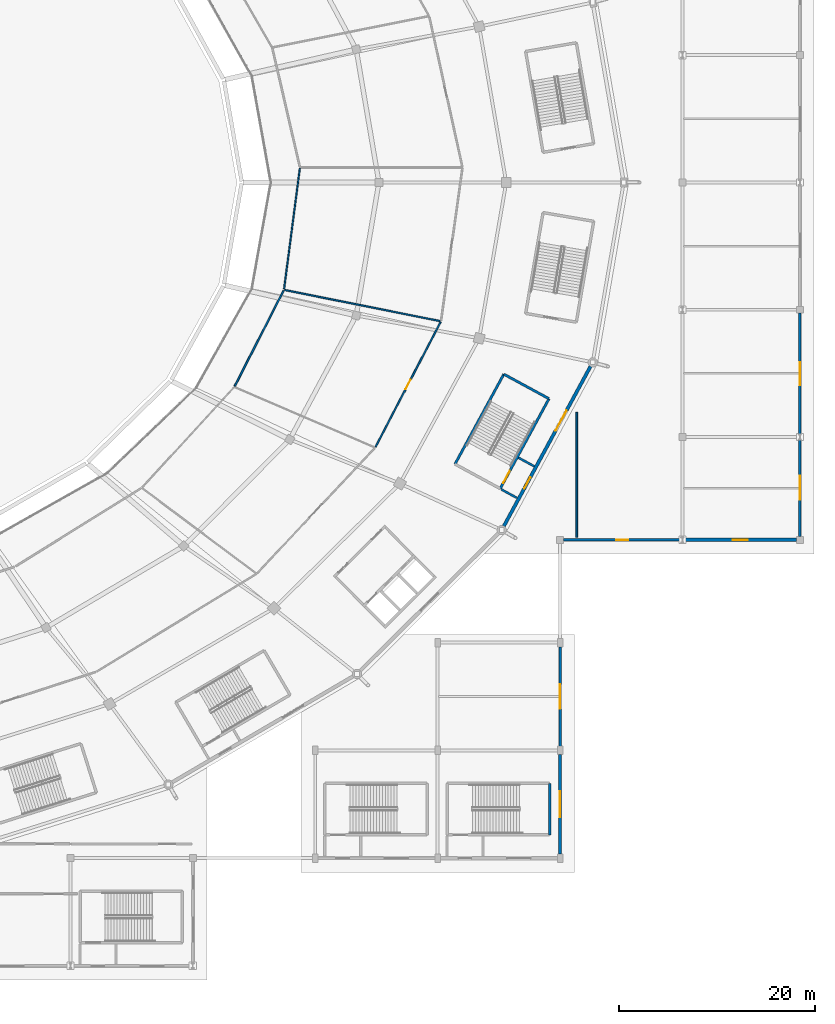
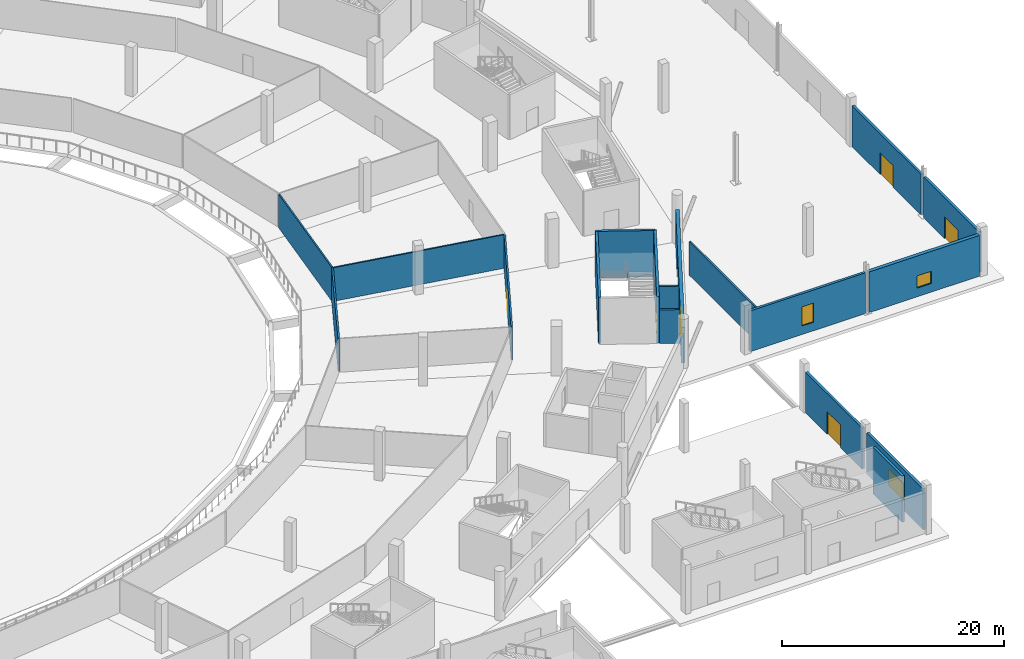
# One storey, part 45 of 82: 18 walls, 7 doors, 3 windows, 10 openings.
"""IFC4 building model written with IfcOpenShell, lengths in metres."""

from ifc_helpers import new_model, si_unit, direction, frame, frame_2d, origin, place, context, subcontext, project, spatial, rectangle, extrude, material, layer, layer_set, type_object, element, fill, save


model = new_model("IFC4")

# Units and contexts
model_context = context("Model", 3, precision=1e-05, world=origin(), true_north=direction((0.0, 1.0)))
body_context = subcontext(model_context, "Body", "Model", "MODEL_VIEW")
ifc_project = project(units=[si_unit("LENGTHUNIT", "METRE"), si_unit("AREAUNIT", "SQUARE_METRE"), si_unit("VOLUMEUNIT", "CUBIC_METRE"), si_unit("PLANEANGLEUNIT", "RADIAN"), si_unit("MASSUNIT", "GRAM", prefix="KILO")], contexts=[model_context])

# Site, building, storey
site_placement = place(None, origin())
site = spatial("IfcSite", under=ifc_project, at=site_placement, CompositionType="ELEMENT")
building_placement = place(site_placement, origin())
building = spatial("IfcBuilding", under=site, at=building_placement, Name="Zlatoyarsky Gate Stadium", CompositionType="ELEMENT")
storey_placement = place(building_placement, origin())
storey = spatial("IfcBuildingStorey", under=building, at=storey_placement, Name="L00", CompositionType="ELEMENT", Elevation=0.0)

# Walls
ifc_material_1 = material(Name="Double-stud acoustic gypsum partition", Category="gypsum")
ifc_layer_1 = layer(ifc_material_1, 0.169921875)
ifc_layer_set_1 = layer_set([ifc_layer_1], Name="Double-stud acoustic gypsum partition")
wall_type_1 = type_object("IfcWallType", Name="ACOUSTIC BROADCAST STUDIO WALL 170", PredefinedType="PARTITIONING", material=ifc_layer_set_1)
wall_1_placement = place(storey_placement, frame((164.273193359375, 59.19580078125, 0.0), z_axis=(0.0, 0.0, 1.0), x_axis=(0.455186001509, 0.890396374673, 0.0)))
element("IfcWall", 1, at=wall_1_placement, inside=storey, type_object=wall_type_1, Name="L00 interior partition PRT-L00-IRN-22", PredefinedType="PARTITIONING", context=body_context, shape_type="SweptSolid", body=[
    extrude(rectangle(XDim=10.963134765625, YDim=0.169921875, at=frame_2d((5.4814453125, 0.0))), origin(), (0.0, 0.0, 1.0), 3.68994140625),
])
ifc_material_2 = material(Name="Moisture-resistant masonry partition", Category="masonry")
ifc_layer_2 = layer(ifc_material_2, 0.139892578125)
ifc_layer_set_2 = layer_set([ifc_layer_2], Name="Moisture-resistant masonry partition")
wall_type_2 = type_object("IfcWallType", Name="ATHLETE CHANGING BLOCK PARTITION 140", PredefinedType="PARTITIONING", material=ifc_layer_set_2)
wall_2_placement = place(storey_placement, frame((169.313232421875, 69.1171875, 0.0), z_axis=(0.0, 0.0, 1.0), x_axis=(0.129643122205, 0.991560719706, 0.0)))
element("IfcWall", 2, at=wall_2_placement, inside=storey, type_object=wall_type_2, Name="L00 interior partition PRT-L00-IRN-23", PredefinedType="PARTITIONING", context=body_context, shape_type="SweptSolid", body=[
    extrude(rectangle(XDim=12.430908203125, YDim=0.139892578125, at=frame_2d((6.21533203125, 0.0))), origin(), (0.0, 0.0, 1.0), 3.68994140625),
])
ifc_material_3 = material(Name="Metal-stud gypsum partition", Category="gypsum")
ifc_layer_3 = layer(ifc_material_3, 0.14990234375)
ifc_layer_set_3 = layer_set([ifc_layer_3], Name="Metal-stud gypsum partition")
wall_type_3 = type_object("IfcWallType", Name="CONCOURSE CORRIDOR PARTITION 150", PredefinedType="PARTITIONING", material=ifc_layer_set_3)
wall_3_placement = place(storey_placement, frame((169.385498046875, 69.01611328125, 0.0), z_axis=(0.0, 0.0, 1.0), x_axis=(0.980552814496, -0.196255389692, 0.0)))
element("IfcWall", 3, at=wall_3_placement, inside=storey, type_object=wall_type_3, Name="L00 interior partition PRT-L00-IRD-23", PredefinedType="PARTITIONING", context=body_context, shape_type="SweptSolid", body=[
    extrude(rectangle(XDim=16.18310546875, YDim=0.14990234375, at=frame_2d((8.091552734375, 0.0))), origin(), (0.0, 0.0, 1.0), 3.68994140625),
])

# Wall, opening, door
ifc_material_4 = material(Name="Concrete C40/50", Category="concrete")
ifc_layer_4 = layer(ifc_material_4, 0.25)
ifc_layer_set_4 = layer_set([ifc_layer_4], Name="Concrete C40/50")
wall_type_4 = type_object("IfcWallType", Name="CONCRETE STAIR CORE SHEAR WALL 250", PredefinedType="SHEAR", material=ifc_layer_set_4)
wall_4_placement = place(storey_placement, frame((191.384765625, 48.731201171875, 0.0), z_axis=(0.0, 0.0, 1.0), x_axis=(0.476876856974, 0.878970115125, 0.0)))
wall_4 = element("IfcWall", 4, at=wall_4_placement, inside=storey, type_object=wall_type_4, Name="ST-12 L00 stair core left shear wall", PredefinedType="SHEAR", context=body_context, shape_type="SweptSolid", body=[
    extrude(rectangle(XDim=10.4501953125, YDim=0.25, at=frame_2d((5.22509765625, 0.0))), origin(), (0.0, 0.0, 1.0), 5.10009765625),
])
opening_1_placement = place(wall_4_placement, frame((0.64990234375, 0.0, 0.0)))
opening_1 = element("IfcOpeningElement", 5, at=opening_1_placement, cuts=wall_4, Name="Opening SD-ST-12-L00", PredefinedType="OPENING", context=body_context, shape_type="SweptSolid", body=[
    extrude(rectangle(XDim=1.39990234375, YDim=2.199951171875, at=frame_2d((0.699951171875, 1.10009765625))), frame((0.0, 0.135009765625, 0.0), z_axis=(0.0, -1.0, 0.0), x_axis=(1.0, 0.0, 0.0)), (0.0, 0.0, 1.0), 0.27001953125),
])
ifc_material_5 = material(Name="Powder-coated steel fire door", Category="steel")
door_type_1 = type_object("IfcDoorType", Name="STAIR CORE FIRE EXIT DOOR 1400X2200", OperationType="NOTDEFINED", PredefinedType="DOOR", material=ifc_material_5)
door_1_placement = place(opening_1_placement, frame((1.39990234375, 0.0, 0.0), z_axis=(0.0, 0.0, 1.0), x_axis=(-1.0, 0.0, 0.0)))
door_1 = element("IfcDoor", 6, at=door_1_placement, inside=storey, type_object=door_type_1, Name="ST-12 L00 protected exit discharge fire door", OperationType="SINGLE_SWING_LEFT", OverallHeight=2.199951171875, OverallWidth=1.39990234375, PredefinedType="DOOR", context=body_context, shape_type="SweptSolid", body=[
    extrude(rectangle(XDim=1.39990234375, YDim=2.199951171875, at=frame_2d((0.699951171875, 1.10009765625))), frame((0.0, 0.02490234375, 0.0), z_axis=(0.0, -1.0, 0.0), x_axis=(1.0, 0.0, 0.0)), (0.0, 0.0, 1.0), 0.050048828125),
])
fill(opening_1, door_1)

# Walls
wall_5_placement = place(storey_placement, frame((196.3681640625, 57.91650390625, 0.0), z_axis=(0.0, 0.0, 1.0), x_axis=(-0.878961487093, 0.47689275965, 0.0)))
element("IfcWall", 7, at=wall_5_placement, inside=storey, type_object=wall_type_4, Name="ST-12 L00 stair core far shear wall", PredefinedType="SHEAR", context=body_context, shape_type="SweptSolid", body=[
    extrude(rectangle(XDim=5.25, YDim=0.25, at=frame_2d((2.625, 0.0))), origin(), (0.0, 0.0, 1.0), 5.10009765625),
])
wall_6_placement = place(storey_placement, frame((191.753662109375, 60.420166015625, 0.0), z_axis=(0.0, 0.0, 1.0), x_axis=(-0.476886649814, -0.878964802042, 0.0)))
element("IfcWall", 8, at=wall_6_placement, inside=storey, type_object=wall_type_4, Name="ST-12 L00 stair core right shear wall", PredefinedType="SHEAR", context=body_context, shape_type="SweptSolid", body=[
    extrude(rectangle(XDim=10.449951171875, YDim=0.25, at=frame_2d((5.22509765625, 0.0))), origin(), (0.0, 0.0, 1.0), 5.10009765625),
])
wall_7_placement = place(storey_placement, frame((196.425048828125, 13.375, 0.0), z_axis=(0.0, 0.0, 1.0), x_axis=(0.0, 1.0, 0.0)))
element("IfcWall", 9, at=wall_7_placement, inside=storey, type_object=wall_type_4, Name="ST-24 L00 stair core far shear wall", PredefinedType="SHEAR", context=body_context, shape_type="SweptSolid", body=[
    extrude(rectangle(XDim=5.25, YDim=0.25, at=frame_2d((2.625, 0.0))), origin(), (0.0, 0.0, 1.0), 5.10009765625),
])
ifc_material_6 = material(Name="Autoclaved aerated concrete masonry EI 120", Category="masonry")
ifc_layer_5 = layer(ifc_material_6, 0.219970703125)
ifc_layer_set_5 = layer_set([ifc_layer_5], Name="Autoclaved aerated concrete masonry EI 120")
wall_type_5 = type_object("IfcWallType", Name="FIREFIGHTING LOBBY RATED WALL 220", PredefinedType="PARTITIONING", material=ifc_layer_set_5)
wall_8_placement = place(storey_placement, frame((191.496337890625, 48.65380859375, 0.0), z_axis=(0.0, 0.0, 1.0), x_axis=(0.878928142612, -0.476954211769, 0.0)))
element("IfcWall", 10, at=wall_8_placement, inside=storey, type_object=wall_type_5, Name="ST-12 L00 protected exit lobby EI 120 wall 1", PredefinedType="PARTITIONING", context=body_context, shape_type="SweptSolid", body=[
    extrude(rectangle(XDim=1.839599609375, YDim=0.219970703125, at=frame_2d((0.919921875, 0.0))), origin(), (0.0, 0.0, 1.0), 3.68994140625),
])
wall_9_placement = place(storey_placement, frame((193.251220703125, 51.888427734375, 0.0), z_axis=(0.0, 0.0, 1.0), x_axis=(0.878958326558, -0.47689858479, 0.0)))
element("IfcWall", 11, at=wall_9_placement, inside=storey, type_object=wall_type_5, Name="ST-12 L00 protected exit lobby EI 120 wall 2", PredefinedType="PARTITIONING", context=body_context, shape_type="SweptSolid", body=[
    extrude(rectangle(XDim=1.83984375, YDim=0.219970703125, at=frame_2d((0.919921875, 0.0))), origin(), (0.0, 0.0, 1.0), 3.68994140625),
])

# Wall, opening, door
ifc_material_7 = material(Name="Acoustic metal-stud gypsum partition", Category="gypsum")
ifc_layer_6 = layer(ifc_material_7, 0.159912109375)
ifc_layer_set_6 = layer_set([ifc_layer_6], Name="Acoustic metal-stud gypsum partition")
wall_type_6 = type_object("IfcWallType", Name="HOSPITALITY SUITE PARTITION 160", PredefinedType="PARTITIONING", material=ifc_layer_set_6)
wall_10_placement = place(storey_placement, frame((178.6533203125, 52.99365234375, 0.0), z_axis=(0.0, 0.0, 1.0), x_axis=(0.46202288494, 0.886868002463, 0.0)))
wall_10 = element("IfcWall", 12, at=wall_10_placement, inside=storey, type_object=wall_type_6, Name="L00 interior partition PRT-L00-ICC-22", PredefinedType="PARTITIONING", context=body_context, shape_type="SweptSolid", body=[
    extrude(rectangle(XDim=14.38134765625, YDim=0.159912109375, at=frame_2d((7.190673828125, 0.0))), origin(), (0.0, 0.0, 1.0), 3.68994140625),
])
opening_2_placement = place(wall_10_placement, frame((6.650634765625, 0.0, 0.0)))
opening_2 = element("IfcOpeningElement", 13, at=opening_2_placement, cuts=wall_10, Name="Opening D-L00-181", PredefinedType="OPENING", context=body_context, shape_type="SweptSolid", body=[
    extrude(rectangle(XDim=1.080078125, YDim=2.3798828125, at=frame_2d((0.5400390625, 1.18994140625))), frame((0.0, 0.08984375, 0.0), z_axis=(0.0, -1.0, 0.0), x_axis=(1.0, 0.0, 0.0)), (0.0, 0.0, 1.0), 0.179931640625),
])
door_type_2 = type_object("IfcDoorType", Name="ACOUSTIC INTERIOR DOOR 1080X2380", OperationType="NOTDEFINED", PredefinedType="DOOR", material=ifc_material_5)
door_2_placement = place(opening_2_placement, origin())
door_2 = element("IfcDoor", 14, at=door_2_placement, inside=storey, type_object=door_type_2, Name="L00 room door D-L00-181", OperationType="SINGLE_SWING_RIGHT", OverallHeight=2.3798828125, OverallWidth=1.080078125, PredefinedType="DOOR", context=body_context, shape_type="SweptSolid", body=[
    extrude(rectangle(XDim=1.080078125, YDim=2.3798828125, at=frame_2d((0.5400390625, 1.18994140625))), frame((0.0, 0.02490234375, 0.0), z_axis=(0.0, -1.0, 0.0), x_axis=(1.0, 0.0, 0.0)), (0.0, 0.0, 1.0), 0.050048828125),
])
fill(opening_2, door_2)

# Wall, opening, window
ifc_material_8 = material(Name="Precast concrete C40/50 architectural panel", Category="concrete")
ifc_layer_7 = layer(ifc_material_8, 0.280029296875)
ifc_layer_set_7 = layer_set([ifc_layer_7], Name="Precast concrete C40/50 architectural panel")
wall_type_7 = type_object("IfcWallType", Name="INSULATED WING SPANDREL WALL 280", PredefinedType="STANDARD", material=ifc_layer_set_7)
wall_11_placement = place(storey_placement, frame((197.5, 11.422119140625, 0.0), z_axis=(0.0, 0.0, 1.0), x_axis=(0.0, 1.0, 0.0)))
wall_11 = element("IfcWall", 15, at=wall_11_placement, inside=storey, type_object=wall_type_7, Name="V6_SE L00 E exterior wall", PredefinedType="STANDARD", context=body_context, shape_type="SweptSolid", body=[
    extrude(rectangle(XDim=10.15576171875, YDim=0.280029296875, at=frame_2d((5.077880859375, 0.0))), origin(), (0.0, 0.0, 1.0), 4.47998046875),
])
opening_3_placement = place(wall_11_placement, frame((3.72802734375, 0.0, 0.949951171875)))
opening_3 = element("IfcOpeningElement", 16, at=opening_3_placement, cuts=wall_11, Name="Opening WN-23", PredefinedType="OPENING", context=body_context, shape_type="SweptSolid", body=[
    extrude(rectangle(XDim=2.699951171875, YDim=1.85009765625, at=frame_2d((1.35009765625, 0.925048828125))), frame((0.0, 0.14990234375, 0.0), z_axis=(0.0, -1.0, 0.0), x_axis=(1.0, 0.0, 0.0)), (0.0, 0.0, 1.0), 0.300048828125),
])
ifc_material_9 = material(Name="Triple-glazed thermally broken aluminium window", Category="aluminium")
window_type_1 = type_object("IfcWindowType", Name="TRIPLE GLAZED ALUMINIUM WINDOW 2700X1850", PartitioningType="SINGLE_PANEL", PredefinedType="WINDOW", material=ifc_material_9)
window_1_placement = place(opening_3_placement, origin())
window_1 = element("IfcWindow", 17, at=window_1_placement, inside=storey, type_object=window_type_1, Name="Exterior window WIN-L00-079", OverallHeight=1.85009765625, OverallWidth=2.699951171875, PartitioningType="SINGLE_PANEL", PredefinedType="WINDOW", context=body_context, shape_type="SweptSolid", body=[
    extrude(rectangle(XDim=2.699951171875, YDim=1.85009765625, at=frame_2d((1.35009765625, 0.925048828125))), frame((0.0, 0.030029296875, 0.0), z_axis=(0.0, -1.0, 0.0), x_axis=(1.0, 0.0, 0.0)), (0.0, 0.0, 1.0), 0.06005859375),
])
fill(opening_3, window_1)

ifc_material_10 = material(Name="Limestone-faced insulated masonry wall", Category="masonry")
ifc_layer_8 = layer(ifc_material_10, 0.360107421875)
ifc_layer_set_8 = layer_set([ifc_layer_8], Name="Limestone-faced insulated masonry wall")
wall_type_8 = type_object("IfcWallType", Name="LIMESTONE CLAD CAVITY WALL 360", PredefinedType="STANDARD", material=ifc_layer_set_8)
wall_12_placement = place(storey_placement, frame((210.14697265625, 43.5, 0.0), z_axis=(0.0, 0.0, 1.0), x_axis=(1.0, 0.0, 0.0)))
wall_12 = element("IfcWall", 18, at=wall_12_placement, inside=storey, type_object=wall_type_8, Name="V5_EAST L00 S exterior wall", PredefinedType="STANDARD", context=body_context, shape_type="SweptSolid", body=[
    extrude(rectangle(XDim=11.506103515625, YDim=0.360107421875, at=frame_2d((5.7529296875, 0.0))), origin(), (0.0, 0.0, 1.0), 4.47998046875),
])
opening_4_placement = place(wall_12_placement, frame((5.0029296875, 0.0, 0.949951171875)))
opening_4 = element("IfcOpeningElement", 19, at=opening_4_placement, cuts=wall_12, Name="Opening WN-05", PredefinedType="OPENING", context=body_context, shape_type="SweptSolid", body=[
    extrude(rectangle(XDim=1.5, YDim=1.35009765625, at=frame_2d((0.75, 0.675048828125))), frame((0.0, 0.18994140625, 0.0), z_axis=(0.0, -1.0, 0.0), x_axis=(1.0, 0.0, 0.0)), (0.0, 0.0, 1.0), 0.380126953125),
])
window_type_2 = type_object("IfcWindowType", Name="TRIPLE GLAZED ALUMINIUM WINDOW 1500X1350", PartitioningType="SINGLE_PANEL", PredefinedType="WINDOW", material=ifc_material_9)
window_2_placement = place(opening_4_placement, origin())
window_2 = element("IfcWindow", 20, at=window_2_placement, inside=storey, type_object=window_type_2, Name="Exterior window WIN-L00-061", OverallHeight=1.35009765625, OverallWidth=1.5, PartitioningType="SINGLE_PANEL", PredefinedType="WINDOW", context=body_context, shape_type="SweptSolid", body=[
    extrude(rectangle(XDim=1.5, YDim=1.35009765625, at=frame_2d((0.75, 0.675048828125))), frame((0.0, 0.030029296875, 0.0), z_axis=(0.0, -1.0, 0.0), x_axis=(1.0, 0.0, 0.0)), (0.0, 0.0, 1.0), 0.06005859375),
])
fill(opening_4, window_2)

# Wall, openings, doors
ifc_layer_9 = layer(ifc_material_10, 0.340087890625)
ifc_layer_set_9 = layer_set([ifc_layer_9], Name="Limestone-faced insulated masonry wall")
wall_type_9 = type_object("IfcWallType", Name="LIMESTONE GATE PLINTH WALL 340", PredefinedType="STANDARD", material=ifc_layer_set_9)
wall_13_placement = place(storey_placement, frame((191.759765625, 44.904296875, 0.0), z_axis=(0.0, 0.0, 1.0), x_axis=(0.47689360532, 0.878961028263, 0.0)))
wall_13 = element("IfcWall", 21, at=wall_13_placement, inside=storey, type_object=wall_type_9, Name="L00 bowl exterior plinth wall sector 22", PredefinedType="STANDARD", context=body_context, shape_type="SweptSolid", body=[
    extrude(rectangle(XDim=18.56201171875, YDim=0.340087890625, at=frame_2d((9.281005859375, 0.0))), origin(), (0.0, 0.0, 1.0), 3.85009765625),
])
opening_5_placement = place(wall_13_placement, frame((4.360107421875, 0.0, 0.0)))
opening_5 = element("IfcOpeningElement", 22, at=opening_5_placement, cuts=wall_13, Name="Opening ED-ST12", PredefinedType="OPENING", context=body_context, shape_type="SweptSolid", body=[
    extrude(rectangle(XDim=1.300048828125, YDim=2.199951171875, at=frame_2d((0.64990234375, 1.10009765625))), frame((0.0, 0.179931640625, 0.0), z_axis=(0.0, -1.0, 0.0), x_axis=(1.0, 0.0, 0.0)), (0.0, 0.0, 1.0), 0.360107421875),
])
opening_6_placement = place(wall_13_placement, frame((11.080810546875, 0.0, 0.0)))
opening_6 = element("IfcOpeningElement", 23, at=opening_6_placement, cuts=wall_13, Name="Opening G12", PredefinedType="OPENING", context=body_context, shape_type="SweptSolid", body=[
    extrude(rectangle(XDim=2.35009765625, YDim=2.39990234375, at=frame_2d((1.175048828125, 1.199951171875))), frame((0.0, 0.179931640625, 0.0), z_axis=(0.0, -1.0, 0.0), x_axis=(1.0, 0.0, 0.0)), (0.0, 0.0, 1.0), 0.360107421875),
])
ifc_material_11 = material(Name="Thermally broken powder-coated steel and laminated safety glass", Category="steel")
door_type_3 = type_object("IfcDoorType", Name="PEDESTRIAN FINAL EXIT DOUBLE DOOR 2350X2400", OperationType="DOUBLE_DOOR_SINGLE_SWING", PredefinedType="DOOR", material=ifc_material_11)
door_3_placement = place(opening_6_placement, frame((2.35009765625, 0.0, 0.0), z_axis=(0.0, 0.0, 1.0), x_axis=(-1.0, 0.0, 0.0)))
door_3 = element("IfcDoor", 24, at=door_3_placement, inside=storey, type_object=door_type_3, Name="Pedestrian exit gate G12", OperationType="DOUBLE_DOOR_SINGLE_SWING", OverallHeight=2.39990234375, OverallWidth=2.35009765625, PredefinedType="DOOR", context=body_context, shape_type="SweptSolid", body=[
    extrude(rectangle(XDim=2.35009765625, YDim=2.39990234375, at=frame_2d((1.175048828125, 1.199951171875))), frame((0.0, 0.02490234375, 0.0), z_axis=(0.0, -1.0, 0.0), x_axis=(1.0, 0.0, 0.0)), (0.0, 0.0, 1.0), 0.050048828125),
])
fill(opening_6, door_3)
door_type_4 = type_object("IfcDoorType", Name="STAIR DISCHARGE FIRE EXIT DOOR 1300X2200", OperationType="NOTDEFINED", PredefinedType="DOOR", material=ifc_material_11)
door_4_placement = place(opening_5_placement, frame((1.300048828125, 0.0, 0.0), z_axis=(0.0, 0.0, 1.0), x_axis=(-1.0, 0.0, 0.0)))
door_4 = element("IfcDoor", 25, at=door_4_placement, inside=storey, type_object=door_type_4, Name="Stair discharge fire exit door ED-ST12", OperationType="SINGLE_SWING_RIGHT", OverallHeight=2.199951171875, OverallWidth=1.300048828125, PredefinedType="DOOR", context=body_context, shape_type="SweptSolid", body=[
    extrude(rectangle(XDim=1.300048828125, YDim=2.199951171875, at=frame_2d((0.64990234375, 1.10009765625))), frame((0.0, 0.02490234375, 0.0), z_axis=(0.0, -1.0, 0.0), x_axis=(1.0, 0.0, 0.0)), (0.0, 0.0, 1.0), 0.050048828125),
])
fill(opening_5, door_4)

# Wall
ifc_material_12 = material(Name="Gypsum-clad mineral wool fire partition", Category="gypsum")
ifc_layer_10 = layer(ifc_material_12, 0.179931640625)
ifc_layer_set_10 = layer_set([ifc_layer_10], Name="Gypsum-clad mineral wool fire partition")
wall_type_10 = type_object("IfcWallType", Name="PLANT AND KITCHEN RATED WALL 180", PredefinedType="PARTITIONING", material=ifc_layer_set_10)
wall_14_placement = place(storey_placement, frame((199.199951171875, 43.764892578125, 0.0), z_axis=(0.0, 0.0, 1.0), x_axis=(0.0, 1.0, 0.0)))
element("IfcWall", 26, at=wall_14_placement, inside=storey, type_object=wall_type_10, Name="L00 interior partition PRT-L00-ALC-SE-X", PredefinedType="PARTITIONING", context=body_context, shape_type="SweptSolid", body=[
    extrude(rectangle(XDim=12.75, YDim=0.179931640625, at=frame_2d((6.375, 0.0))), origin(), (0.0, 0.0, 1.0), 3.68994140625),
])

# Wall, opening, door
ifc_layer_11 = layer(ifc_material_10, 0.260009765625)
ifc_layer_set_11 = layer_set([ifc_layer_11], Name="Limestone-faced insulated masonry wall")
wall_type_11 = type_object("IfcWallType", Name="PORTICO COLONNADE PLINTH WALL 260", PredefinedType="STANDARD", material=ifc_layer_set_11)
wall_15_placement = place(storey_placement, frame((222.0, 43.846923828125, 0.0), z_axis=(0.0, 0.0, 1.0), x_axis=(0.0, 1.0, 0.0)))
wall_15 = element("IfcWall", 27, at=wall_15_placement, inside=storey, type_object=wall_type_11, Name="V5_EAST L00 E_LO exterior wall", PredefinedType="STANDARD", context=body_context, shape_type="SweptSolid", body=[
    extrude(rectangle(XDim=9.906005859375, YDim=0.260009765625, at=frame_2d((4.953125, 0.0))), origin(), (0.0, 0.0, 1.0), 4.47998046875),
])
opening_7_placement = place(wall_15_placement, frame((3.72802734375, 0.0, 0.0)))
opening_7 = element("IfcOpeningElement", 28, at=opening_7_placement, cuts=wall_15, Name="Opening G29", PredefinedType="OPENING", context=body_context, shape_type="SweptSolid", body=[
    extrude(rectangle(XDim=2.449951171875, YDim=2.39990234375, at=frame_2d((1.22509765625, 1.199951171875))), frame((0.0, 0.139892578125, 0.0), z_axis=(0.0, -1.0, 0.0), x_axis=(1.0, 0.0, 0.0)), (0.0, 0.0, 1.0), 0.280029296875),
])
door_type_5 = type_object("IfcDoorType", Name="PEDESTRIAN FINAL EXIT DOUBLE DOOR 2450X2400", OperationType="DOUBLE_DOOR_SINGLE_SWING", PredefinedType="DOOR", material=ifc_material_11)
door_5_placement = place(opening_7_placement, frame((2.449951171875, 0.0, 0.0), z_axis=(0.0, 0.0, 1.0), x_axis=(-1.0, 0.0, 0.0)))
door_5 = element("IfcDoor", 29, at=door_5_placement, inside=storey, type_object=door_type_5, Name="Exterior door G29", OperationType="DOUBLE_DOOR_SINGLE_SWING", OverallHeight=2.39990234375, OverallWidth=2.449951171875, PredefinedType="DOOR", context=body_context, shape_type="SweptSolid", body=[
    extrude(rectangle(XDim=2.449951171875, YDim=2.39990234375, at=frame_2d((1.22509765625, 1.199951171875))), frame((0.0, 0.02490234375, 0.0), z_axis=(0.0, -1.0, 0.0), x_axis=(1.0, 0.0, 0.0)), (0.0, 0.0, 1.0), 0.050048828125),
])
fill(opening_7, door_5)

wall_16_placement = place(storey_placement, frame((222.0, 54.2470703125, 0.0), z_axis=(0.0, 0.0, 1.0), x_axis=(0.0, 1.0, 0.0)))
wall_16 = element("IfcWall", 30, at=wall_16_placement, inside=storey, type_object=wall_type_11, Name="V5_EAST L00 E_LO exterior wall", PredefinedType="STANDARD", context=body_context, shape_type="SweptSolid", body=[
    extrude(rectangle(XDim=12.406005859375, YDim=0.260009765625, at=frame_2d((6.203125, 0.0))), origin(), (0.0, 0.0, 1.0), 4.47998046875),
])
opening_8_placement = place(wall_16_placement, frame((5.028076171875, 0.0, 0.0)))
opening_8 = element("IfcOpeningElement", 31, at=opening_8_placement, cuts=wall_16, Name="Opening G30", PredefinedType="OPENING", context=body_context, shape_type="SweptSolid", body=[
    extrude(rectangle(XDim=2.35009765625, YDim=2.39990234375, at=frame_2d((1.175048828125, 1.199951171875))), frame((0.0, 0.139892578125, 0.0), z_axis=(0.0, -1.0, 0.0), x_axis=(1.0, 0.0, 0.0)), (0.0, 0.0, 1.0), 0.280029296875),
])
door_6_placement = place(opening_8_placement, frame((2.35009765625, 0.0, 0.0), z_axis=(0.0, 0.0, 1.0), x_axis=(-1.0, 0.0, 0.0)))
door_6 = element("IfcDoor", 32, at=door_6_placement, inside=storey, type_object=door_type_3, Name="Exterior door G30", OperationType="DOUBLE_DOOR_SINGLE_SWING", OverallHeight=2.39990234375, OverallWidth=2.35009765625, PredefinedType="DOOR", context=body_context, shape_type="SweptSolid", body=[
    extrude(rectangle(XDim=2.35009765625, YDim=2.39990234375, at=frame_2d((1.175048828125, 1.199951171875))), frame((0.0, 0.02490234375, 0.0), z_axis=(0.0, -1.0, 0.0), x_axis=(1.0, 0.0, 0.0)), (0.0, 0.0, 1.0), 0.050048828125),
])
fill(opening_8, door_6)

# Wall, opening, window
wall_17_placement = place(storey_placement, frame((197.846923828125, 43.5, 0.0), z_axis=(0.0, 0.0, 1.0), x_axis=(1.0, 0.0, 0.0)))
wall_17 = element("IfcWall", 33, at=wall_17_placement, inside=storey, type_object=wall_type_11, Name="V5_EAST L00 S exterior wall", PredefinedType="STANDARD", context=body_context, shape_type="SweptSolid", body=[
    extrude(rectangle(XDim=12.006103515625, YDim=0.260009765625, at=frame_2d((6.0029296875, 0.0))), origin(), (0.0, 0.0, 1.0), 4.47998046875),
])
opening_9_placement = place(wall_17_placement, frame((5.403076171875, 0.0, 0.949951171875)))
opening_9 = element("IfcOpeningElement", 34, at=opening_9_placement, cuts=wall_17, Name="Opening WN-04", PredefinedType="OPENING", context=body_context, shape_type="SweptSolid", body=[
    extrude(rectangle(XDim=1.199951171875, YDim=2.10009765625, at=frame_2d((0.60009765625, 1.050048828125))), frame((0.0, 0.139892578125, 0.0), z_axis=(0.0, -1.0, 0.0), x_axis=(1.0, 0.0, 0.0)), (0.0, 0.0, 1.0), 0.280029296875),
])
window_type_3 = type_object("IfcWindowType", Name="TRIPLE GLAZED ALUMINIUM WINDOW 1200X2100", PartitioningType="SINGLE_PANEL", PredefinedType="WINDOW", material=ifc_material_9)
window_3_placement = place(opening_9_placement, origin())
window_3 = element("IfcWindow", 35, at=window_3_placement, inside=storey, type_object=window_type_3, Name="Exterior window WIN-L00-060", OverallHeight=2.10009765625, OverallWidth=1.199951171875, PartitioningType="SINGLE_PANEL", PredefinedType="WINDOW", context=body_context, shape_type="SweptSolid", body=[
    extrude(rectangle(XDim=1.199951171875, YDim=2.10009765625, at=frame_2d((0.60009765625, 1.050048828125))), frame((0.0, 0.030029296875, 0.0), z_axis=(0.0, -1.0, 0.0), x_axis=(1.0, 0.0, 0.0)), (0.0, 0.0, 1.0), 0.06005859375),
])
fill(opening_9, window_3)

# Wall, opening, door
wall_18_placement = place(storey_placement, frame((197.5, 22.422119140625, 0.0), z_axis=(0.0, 0.0, 1.0), x_axis=(0.0, 1.0, 0.0)))
wall_18 = element("IfcWall", 36, at=wall_18_placement, inside=storey, type_object=wall_type_11, Name="V6_SE L00 E exterior wall", PredefinedType="STANDARD", context=body_context, shape_type="SweptSolid", body=[
    extrude(rectangle(XDim=10.15576171875, YDim=0.260009765625, at=frame_2d((5.077880859375, 0.0))), origin(), (0.0, 0.0, 1.0), 4.47998046875),
])
opening_10_placement = place(wall_18_placement, frame((3.827880859375, 0.0, 0.0)))
opening_10 = element("IfcOpeningElement", 37, at=opening_10_placement, cuts=wall_18, Name="Opening ED-V6SE", PredefinedType="OPENING", context=body_context, shape_type="SweptSolid", body=[
    extrude(rectangle(XDim=2.5, YDim=2.5, at=frame_2d((1.25, 1.25))), frame((0.0, 0.139892578125, 0.0), z_axis=(0.0, -1.0, 0.0), x_axis=(1.0, 0.0, 0.0)), (0.0, 0.0, 1.0), 0.280029296875),
])
door_type_6 = type_object("IfcDoorType", Name="PAVILION ENTRANCE DOUBLE DOOR 2500X2500", OperationType="DOUBLE_DOOR_SINGLE_SWING", PredefinedType="DOOR", material=ifc_material_11)
door_7_placement = place(opening_10_placement, frame((2.5, 0.0, 0.0), z_axis=(0.0, 0.0, 1.0), x_axis=(-1.0, 0.0, 0.0)))
door_7 = element("IfcDoor", 38, at=door_7_placement, inside=storey, type_object=door_type_6, Name="Exterior door ED-V6SE", OperationType="DOUBLE_DOOR_SINGLE_SWING", OverallHeight=2.5, OverallWidth=2.5, PredefinedType="DOOR", context=body_context, shape_type="SweptSolid", body=[
    extrude(rectangle(XDim=2.5, YDim=2.5, at=frame_2d((1.25, 1.25))), frame((0.0, 0.02490234375, 0.0), z_axis=(0.0, -1.0, 0.0), x_axis=(1.0, 0.0, 0.0)), (0.0, 0.0, 1.0), 0.050048828125),
])
fill(opening_10, door_7)

save(model, "model.ifc")
